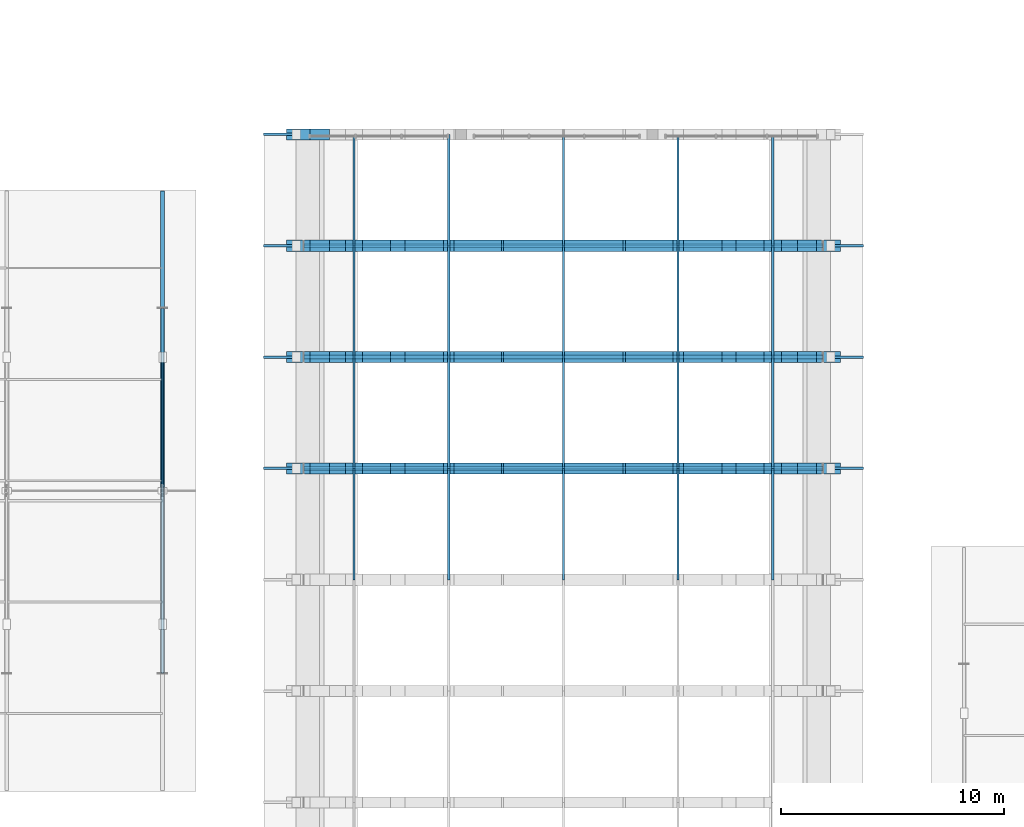
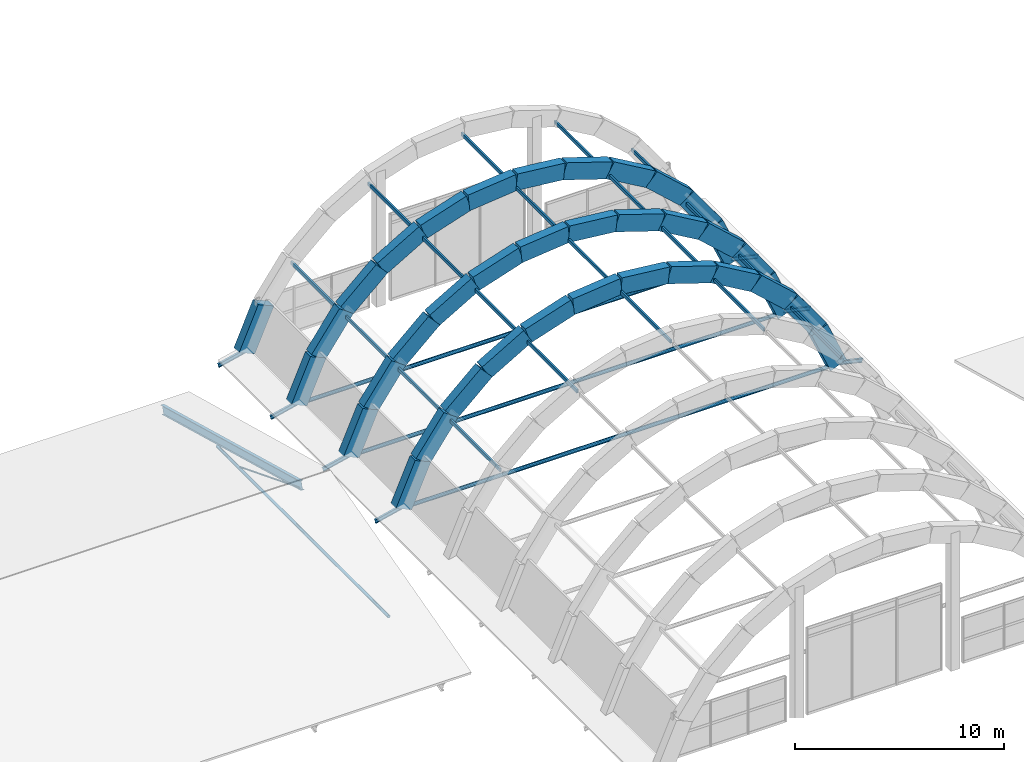
# One storey, part 20 of 76: 45 beams, 25 members.
"""IFC4 building model written with IfcOpenShell, lengths in metres."""

from ifc_helpers import new_model, si_unit, direction, frame, origin, origin_2d, place, context, subcontext, project, spatial, rectangle, hollow_rectangle, hollow_circle, i_section, extrude, material, material_profile, profile_set, type_object, element, save


model = new_model("IFC4")

# Units and contexts
model_context = context("Model", 3, precision=1e-05, world=origin(), true_north=direction((0.0, 1.0)))
body_context = subcontext(model_context, "Body", "Model", "MODEL_VIEW")
ifc_project = project(units=[si_unit("LENGTHUNIT", "METRE"), si_unit("AREAUNIT", "SQUARE_METRE"), si_unit("VOLUMEUNIT", "CUBIC_METRE"), si_unit("PLANEANGLEUNIT", "RADIAN"), si_unit("MASSUNIT", "GRAM", prefix="KILO")], contexts=[model_context])

# Site, building, storey
site_placement = place(None, origin())
site = spatial("IfcSite", under=ifc_project, at=site_placement, CompositionType="ELEMENT")
building_placement = place(site_placement, origin())
building = spatial("IfcBuilding", under=site, at=building_placement, Name="Kiranvali Square Residences", CompositionType="ELEMENT")
storey_placement = place(building_placement, frame((0.0, 0.0, 8.699951171875)))
storey = spatial("IfcBuildingStorey", under=building, at=storey_placement, Name="L02", CompositionType="ELEMENT", Elevation=8.699951171875)

# Members
ifc_material_1 = material(Name="Structural steel E350", Category="steel")
ifc_material_profile_1 = material_profile(ifc_material_1, hollow_circle(Radius=0.08251953125, WallThickness=0.00537109375, at=origin_2d()), Name="CHS 165.1x5.4")
ifc_profile_set_1 = profile_set([ifc_material_profile_1], Name="Structural steel E350")
member_type_1 = type_object("IfcMemberType", Name="MEM-CHS165", PredefinedType="USERDEFINED", material=ifc_profile_set_1)
member_1_placement = place(storey_placement, frame((66.0, 59.800048828125, 1.10009765625), z_axis=(0.0, 1.0, 0.0), x_axis=(-1.0, 0.0, 0.0)))
element("IfcMember", 1, at=member_1_placement, inside=storey, type_object=member_type_1, Name="Nursery Pavilion roof truss collar chord 5", ObjectType="TIE ROD", PredefinedType="USERDEFINED", context=body_context, shape_type="SweptSolid", body=[
    extrude(hollow_circle(Radius=0.08251953125, WallThickness=0.00537109375, at=origin_2d()), origin(), (0.0, 0.0, 1.0), 16.39990234375),
])
ifc_material_profile_2 = material_profile(ifc_material_1, hollow_circle(Radius=0.109619140625, WallThickness=0.012451171875, at=origin_2d()), Name="CHS 219.1x12.5")
ifc_profile_set_2 = profile_set([ifc_material_profile_2], Name="Structural steel E350")
member_type_2 = type_object("IfcMemberType", Name="MEM-CHS219-TIE", PredefinedType="USERDEFINED", material=ifc_profile_set_2)
for number, where, z_axis, x_axis, name in (
    (2, (72.35009765625, 69.0, -0.25), (1.0, 0.0, 0.0), (0.0, 1.0, 0.0), "Exposed Vault Arch Tie Rod TR-6"),
    (3, (72.35009765625, 74.0, -0.25), (1.0, 0.0, 0.0), (0.0, 1.0, 0.0), "Exposed Vault Arch Tie Rod TR-7"),
    (4, (72.35009765625, 79.0, -0.25), (1.0, 0.0, 0.0), (0.0, 1.0, 0.0), "Exposed Vault Arch Tie Rod TR-8"),
):
    element("IfcMember", number, at=place(storey_placement, frame(where, z_axis=z_axis, x_axis=x_axis)), inside=storey, type_object=member_type_2, Name=name, ObjectType="TIE ROD", PredefinedType="USERDEFINED", context=body_context, shape_type="SweptSolid", body=[
        extrude(hollow_circle(Radius=0.109619140625, WallThickness=0.012451171875, at=origin_2d()), origin(), (0.0, 0.0, 1.0), 23.2998046875),
    ])
ifc_material_profile_3 = material_profile(ifc_material_1, hollow_circle(Radius=0.04443359375, WallThickness=0.0048828125, at=origin_2d()), Name="CHS 88.9x4.8")
ifc_profile_set_3 = profile_set([ifc_material_profile_3], Name="Structural steel E350")
member_type_3 = type_object("IfcMemberType", Name="MEM-CHS88", PredefinedType="BRACE", material=ifc_profile_set_3)
member_2_placement = place(storey_placement, frame((66.0, 74.0, 1.216552734375), z_axis=(0.0, -0.930434154786, 0.366459115874), x_axis=(1.0, 0.0, 0.0)))
element("IfcMember", 5, at=member_2_placement, inside=storey, type_object=member_type_3, Name="Nursery Pavilion roof truss diagonal brace 5B", PredefinedType="BRACE", context=body_context, shape_type="SweptSolid", body=[
    extrude(hollow_circle(Radius=0.04443359375, WallThickness=0.0048828125, at=origin_2d()), origin(), (0.0, 0.0, 1.0), 6.169189453125),
])
ifc_material_profile_4 = material_profile(ifc_material_1, hollow_rectangle(XDim=0.10009765625, YDim=0.199951171875, WallThickness=0.006103515625, at=origin_2d()), Name="RHS 200x100x6.0")
ifc_profile_set_4 = profile_set([ifc_material_profile_4], Name="Structural steel E350")
member_type_4 = type_object("IfcMemberType", Name="MEM-RHS200", PredefinedType="PURLIN", material=ifc_profile_set_4)
for number, where, z_axis, x_axis, name in (
    (6, (74.600341796875, 64.0, 4.081787109375), (0.0, 1.0, 0.0), (-1.0, 0.0, 0.0), "Community Hall barrel-vault longitudinal purlin N2.5"),
    (7, (74.600341796875, 69.0, 4.081787109375), (0.0, 1.0, 0.0), (-1.0, 0.0, 0.0), "Community Hall barrel-vault longitudinal purlin N2.6"),
    (8, (74.600341796875, 74.0, 4.081787109375), (0.0, 1.0, 0.0), (-1.0, 0.0, 0.0), "Community Hall barrel-vault longitudinal purlin N2.7"),
    (9, (74.600341796875, 79.0, 4.081787109375), (0.0, 1.0, 0.0), (-1.0, 0.0, 0.0), "Community Hall barrel-vault longitudinal purlin N2.8"),
    (10, (78.8486328125, 64.0, 7.197021484375), (0.0, 1.0, 0.0), (-1.0, 0.0, 0.0), "Community Hall barrel-vault longitudinal purlin N4.5"),
    (11, (78.8486328125, 69.0, 7.197021484375), (0.0, 1.0, 0.0), (-1.0, 0.0, 0.0), "Community Hall barrel-vault longitudinal purlin N4.6"),
    (12, (78.8486328125, 74.0, 7.197021484375), (0.0, 1.0, 0.0), (-1.0, 0.0, 0.0), "Community Hall barrel-vault longitudinal purlin N4.7"),
    (13, (78.8486328125, 79.0, 7.197021484375), (0.0, 1.0, 0.0), (-1.0, 0.0, 0.0), "Community Hall barrel-vault longitudinal purlin N4.8"),
    (14, (84.0, 64.0, 8.300048828125), (0.0, 1.0, 0.0), (-1.0, 0.0, 0.0), "Community Hall barrel-vault longitudinal purlin N6.5"),
    (15, (84.0, 69.0, 8.300048828125), (0.0, 1.0, 0.0), (-1.0, 0.0, 0.0), "Community Hall barrel-vault longitudinal purlin N6.6"),
    (16, (84.0, 74.0, 8.300048828125), (0.0, 1.0, 0.0), (-1.0, 0.0, 0.0), "Community Hall barrel-vault longitudinal purlin N6.7"),
    (17, (84.0, 79.0, 8.300048828125), (0.0, 1.0, 0.0), (-1.0, 0.0, 0.0), "Community Hall barrel-vault longitudinal purlin N6.8"),
    (18, (89.1513671875, 64.0, 7.197021484375), (0.0, 1.0, 0.0), (-1.0, 0.0, 0.0), "Community Hall barrel-vault longitudinal purlin N8.5"),
    (19, (89.1513671875, 69.0, 7.197021484375), (0.0, 1.0, 0.0), (-1.0, 0.0, 0.0), "Community Hall barrel-vault longitudinal purlin N8.6"),
    (20, (89.1513671875, 74.0, 7.197021484375), (0.0, 1.0, 0.0), (-1.0, 0.0, 0.0), "Community Hall barrel-vault longitudinal purlin N8.7"),
    (21, (89.1513671875, 79.0, 7.197021484375), (0.0, 1.0, 0.0), (-1.0, 0.0, 0.0), "Community Hall barrel-vault longitudinal purlin N8.8"),
    (22, (93.399658203125, 64.0, 4.081787109375), (0.0, 1.0, 0.0), (-1.0, 0.0, 0.0), "Community Hall barrel-vault longitudinal purlin N10.5"),
    (23, (93.399658203125, 69.0, 4.081787109375), (0.0, 1.0, 0.0), (-1.0, 0.0, 0.0), "Community Hall barrel-vault longitudinal purlin N10.6"),
    (24, (93.399658203125, 74.0, 4.081787109375), (0.0, 1.0, 0.0), (-1.0, 0.0, 0.0), "Community Hall barrel-vault longitudinal purlin N10.7"),
    (25, (93.399658203125, 79.0, 4.081787109375), (0.0, 1.0, 0.0), (-1.0, 0.0, 0.0), "Community Hall barrel-vault longitudinal purlin N10.8"),
):
    element("IfcMember", number, at=place(storey_placement, frame(where, z_axis=z_axis, x_axis=x_axis)), inside=storey, type_object=member_type_4, Name=name, PredefinedType="PURLIN", context=body_context, shape_type="SweptSolid", body=[
        extrude(hollow_rectangle(XDim=0.10009765625, YDim=0.199951171875, WallThickness=0.006103515625, at=origin_2d()), origin(), (0.0, 0.0, 1.0), 5.0),
    ])

# Beams
ifc_material_profile_5 = material_profile(ifc_material_1, i_section(OverallWidth=0.110107421875, OverallDepth=0.22509765625, WebThickness=0.006591796875, FlangeThickness=0.01171875, at=origin_2d()), Name="ISMB 225")
ifc_profile_set_5 = profile_set([ifc_material_profile_5], Name="Structural steel E350")
beam_type_1 = type_object("IfcBeamType", Name="SBM-ISMB225", PredefinedType="JOIST", material=ifc_profile_set_5)
for number, where, z_axis, x_axis, name in (
    (26, (72.0, 69.0, -0.179931640625), (-0.973578169392, 0.0, -0.2283539973), (0.0, -1.0, 0.0), "Community Hall Ottoman eave bracket W6"),
    (27, (72.0, 74.0, -0.179931640625), (-0.973578169392, 0.0, -0.2283539973), (0.0, -1.0, 0.0), "Community Hall Ottoman eave bracket W7"),
    (28, (72.0, 79.0, -0.179931640625), (-0.973578169392, 0.0, -0.2283539973), (0.0, -1.0, 0.0), "Community Hall Ottoman eave bracket W8"),
    (29, (72.0, 84.0, -0.179931640625), (-0.973578169392, 0.0, -0.2283539973), (0.0, -1.0, 0.0), "Community Hall Ottoman eave bracket W9"),
    (30, (96.0, 69.0, -0.179931640625), (0.973578169392, 0.0, -0.2283539973), (0.0, 1.0, 0.0), "Community Hall Ottoman eave bracket E6"),
    (31, (96.0, 74.0, -0.179931640625), (0.973578169392, 0.0, -0.2283539973), (0.0, 1.0, 0.0), "Community Hall Ottoman eave bracket E7"),
    (32, (96.0, 79.0, -0.179931640625), (0.973578169392, 0.0, -0.2283539973), (0.0, 1.0, 0.0), "Community Hall Ottoman eave bracket E8"),
):
    element("IfcBeam", number, at=place(storey_placement, frame(where, z_axis=z_axis, x_axis=x_axis)), inside=storey, type_object=beam_type_1, Name=name, PredefinedType="JOIST", context=body_context, shape_type="SweptSolid", body=[
        extrude(i_section(OverallWidth=0.110107421875, OverallDepth=0.22509765625, WebThickness=0.006591796875, FlangeThickness=0.01171875, at=origin_2d()), origin(), (0.0, 0.0, 1.0), 1.4892578125),
    ])
ifc_material_profile_6 = material_profile(ifc_material_1, i_section(OverallWidth=0.179931640625, OverallDepth=0.5, WebThickness=0.01025390625, FlangeThickness=0.01708984375, at=origin_2d()), Name="ISMB 500")
ifc_profile_set_6 = profile_set([ifc_material_profile_6], Name="Structural steel E350")
beam_type_2 = type_object("IfcBeamType", Name="SBM-ISMB500", PredefinedType="BEAM", material=ifc_profile_set_6)
beam_1_placement = place(storey_placement, frame((66.0, 81.39990234375, 0.10009765625), z_axis=(0.0, -0.964948346457, 0.262439876296), x_axis=(1.0, 0.0, 0.0)))
element("IfcBeam", 33, at=beam_1_placement, inside=storey, type_object=beam_type_2, Name="Nursery Pavilion steel roof rafter N-5", PredefinedType="BEAM", context=body_context, shape_type="SweptSolid", body=[
    extrude(i_section(OverallWidth=0.179931640625, OverallDepth=0.5, WebThickness=0.01025390625, FlangeThickness=0.01708984375, at=origin_2d()), origin(), (0.0, 0.0, 1.0), 13.782958984375),
])
ifc_material_2 = material(Name="Concrete M45 (45 MPa)", Category="concrete")
ifc_material_profile_7 = material_profile(ifc_material_2, rectangle(XDim=0.5, YDim=0.949951171875, at=origin_2d()), Name="RC 500x950")
ifc_profile_set_7 = profile_set([ifc_material_profile_7], Name="Concrete M45 (45 MPa)")
beam_type_3 = type_object("IfcBeamType", Name="VR-M45-500x950", PredefinedType="USERDEFINED", material=ifc_profile_set_7)
for number, where, z_axis, x_axis, name in (
    (34, (72.0, 69.0, -0.159912109375), (0.399285511826, 0.0, 0.916826635764), (0.0, 1.0, 0.0), "Exposed Vault Arch Rib VR-1 bay 6 seg 1"),
    (35, (73.0576171875, 69.0, 2.2685546875), (0.582440788805, 0.0, 0.812873131267), (0.0, 1.0, 0.0), "Exposed Vault Arch Rib VR-1 bay 6 seg 2"),
):
    element("IfcBeam", number, at=place(storey_placement, frame(where, z_axis=z_axis, x_axis=x_axis)), inside=storey, type_object=beam_type_3, Name=name, ObjectType="ARCH RIB", PredefinedType="USERDEFINED", context=body_context, shape_type="SweptSolid", body=[
        extrude(rectangle(XDim=0.5, YDim=0.949951171875, at=origin_2d()), origin(), (0.0, 0.0, 1.0), 2.648681640625),
    ])
beam_2_placement = place(storey_placement, frame((74.600341796875, 69.0, 4.421630859375), z_axis=(0.739639727278, 0.0, 0.673003026615), x_axis=(0.0, 1.0, 0.0)))
element("IfcBeam", 36, at=beam_2_placement, inside=storey, type_object=beam_type_3, Name="Exposed Vault Arch Rib VR-1 bay 6 seg 3", ObjectType="ARCH RIB", PredefinedType="USERDEFINED", context=body_context, shape_type="SweptSolid", body=[
    extrude(rectangle(XDim=0.5, YDim=0.949951171875, at=origin_2d()), origin(), (0.0, 0.0, 1.0), 2.64892578125),
])
beam_3_placement = place(storey_placement, frame((76.5595703125, 69.0, 6.204345703125), z_axis=(0.864193138267, 0.0, 0.503160232701), x_axis=(0.0, 1.0, 0.0)))
element("IfcBeam", 37, at=beam_3_placement, inside=storey, type_object=beam_type_3, Name="Exposed Vault Arch Rib VR-1 bay 6 seg 4", ObjectType="ARCH RIB", PredefinedType="USERDEFINED", context=body_context, shape_type="SweptSolid", body=[
    extrude(rectangle(XDim=0.5, YDim=0.949951171875, at=origin_2d()), origin(), (0.0, 0.0, 1.0), 2.648681640625),
])
beam_4_placement = place(storey_placement, frame((78.8486328125, 69.0, 7.537109375), z_axis=(0.950356499345, 0.0, 0.311163179302), x_axis=(0.0, 1.0, 0.0)))
element("IfcBeam", 38, at=beam_4_placement, inside=storey, type_object=beam_type_3, Name="Exposed Vault Arch Rib VR-1 bay 6 seg 5", ObjectType="ARCH RIB", PredefinedType="USERDEFINED", context=body_context, shape_type="SweptSolid", body=[
    extrude(rectangle(XDim=0.5, YDim=0.949951171875, at=origin_2d()), origin(), (0.0, 0.0, 1.0), 2.64892578125),
])
for number, where, z_axis, x_axis, name in (
    (39, (81.365966796875, 69.0, 8.361328125), (0.99444467995, 0.0, 0.10526052688), (0.0, 1.0, 0.0), "Exposed Vault Arch Rib VR-1 bay 6 seg 6"),
    (40, (84.0, 69.0, 8.64013671875), (0.99444467995, 0.0, -0.10526052688), (0.0, 1.0, 0.0), "Exposed Vault Arch Rib VR-1 bay 6 seg 7"),
):
    element("IfcBeam", number, at=place(storey_placement, frame(where, z_axis=z_axis, x_axis=x_axis)), inside=storey, type_object=beam_type_3, Name=name, ObjectType="ARCH RIB", PredefinedType="USERDEFINED", context=body_context, shape_type="SweptSolid", body=[
        extrude(rectangle(XDim=0.5, YDim=0.949951171875, at=origin_2d()), origin(), (0.0, 0.0, 1.0), 2.648681640625),
    ])
beam_5_placement = place(storey_placement, frame((86.634033203125, 69.0, 8.361328125), z_axis=(0.950356499345, 0.0, -0.311163179302), x_axis=(0.0, 1.0, 0.0)))
element("IfcBeam", 41, at=beam_5_placement, inside=storey, type_object=beam_type_3, Name="Exposed Vault Arch Rib VR-1 bay 6 seg 8", ObjectType="ARCH RIB", PredefinedType="USERDEFINED", context=body_context, shape_type="SweptSolid", body=[
    extrude(rectangle(XDim=0.5, YDim=0.949951171875, at=origin_2d()), origin(), (0.0, 0.0, 1.0), 2.64892578125),
])
beam_6_placement = place(storey_placement, frame((89.1513671875, 69.0, 7.537109375), z_axis=(0.864193138267, 0.0, -0.503160232701), x_axis=(0.0, 1.0, 0.0)))
element("IfcBeam", 42, at=beam_6_placement, inside=storey, type_object=beam_type_3, Name="Exposed Vault Arch Rib VR-1 bay 6 seg 9", ObjectType="ARCH RIB", PredefinedType="USERDEFINED", context=body_context, shape_type="SweptSolid", body=[
    extrude(rectangle(XDim=0.5, YDim=0.949951171875, at=origin_2d()), origin(), (0.0, 0.0, 1.0), 2.648681640625),
])
beam_7_placement = place(storey_placement, frame((91.4404296875, 69.0, 6.204345703125), z_axis=(0.739639727278, 0.0, -0.673003026615), x_axis=(0.0, 1.0, 0.0)))
element("IfcBeam", 43, at=beam_7_placement, inside=storey, type_object=beam_type_3, Name="Exposed Vault Arch Rib VR-1 bay 6 seg 10", ObjectType="ARCH RIB", PredefinedType="USERDEFINED", context=body_context, shape_type="SweptSolid", body=[
    extrude(rectangle(XDim=0.5, YDim=0.949951171875, at=origin_2d()), origin(), (0.0, 0.0, 1.0), 2.64892578125),
])
for number, where, z_axis, x_axis, name in (
    (44, (93.399658203125, 69.0, 4.421630859375), (0.582440788805, 0.0, -0.812873131267), (0.0, 1.0, 0.0), "Exposed Vault Arch Rib VR-1 bay 6 seg 11"),
    (45, (94.9423828125, 69.0, 2.2685546875), (0.399285511826, 0.0, -0.916826635764), (0.0, 1.0, 0.0), "Exposed Vault Arch Rib VR-1 bay 6 seg 12"),
    (46, (72.0, 74.0, -0.159912109375), (0.399285511826, 0.0, 0.916826635764), (0.0, 1.0, 0.0), "Exposed Vault Arch Rib VR-1 bay 7 seg 1"),
    (47, (73.0576171875, 74.0, 2.2685546875), (0.582440788805, 0.0, 0.812873131267), (0.0, 1.0, 0.0), "Exposed Vault Arch Rib VR-1 bay 7 seg 2"),
):
    element("IfcBeam", number, at=place(storey_placement, frame(where, z_axis=z_axis, x_axis=x_axis)), inside=storey, type_object=beam_type_3, Name=name, ObjectType="ARCH RIB", PredefinedType="USERDEFINED", context=body_context, shape_type="SweptSolid", body=[
        extrude(rectangle(XDim=0.5, YDim=0.949951171875, at=origin_2d()), origin(), (0.0, 0.0, 1.0), 2.648681640625),
    ])
beam_8_placement = place(storey_placement, frame((74.600341796875, 74.0, 4.421630859375), z_axis=(0.739639727278, 0.0, 0.673003026615), x_axis=(0.0, 1.0, 0.0)))
element("IfcBeam", 48, at=beam_8_placement, inside=storey, type_object=beam_type_3, Name="Exposed Vault Arch Rib VR-1 bay 7 seg 3", ObjectType="ARCH RIB", PredefinedType="USERDEFINED", context=body_context, shape_type="SweptSolid", body=[
    extrude(rectangle(XDim=0.5, YDim=0.949951171875, at=origin_2d()), origin(), (0.0, 0.0, 1.0), 2.64892578125),
])
beam_9_placement = place(storey_placement, frame((76.5595703125, 74.0, 6.204345703125), z_axis=(0.864193138267, 0.0, 0.503160232701), x_axis=(0.0, 1.0, 0.0)))
element("IfcBeam", 49, at=beam_9_placement, inside=storey, type_object=beam_type_3, Name="Exposed Vault Arch Rib VR-1 bay 7 seg 4", ObjectType="ARCH RIB", PredefinedType="USERDEFINED", context=body_context, shape_type="SweptSolid", body=[
    extrude(rectangle(XDim=0.5, YDim=0.949951171875, at=origin_2d()), origin(), (0.0, 0.0, 1.0), 2.648681640625),
])
beam_10_placement = place(storey_placement, frame((78.8486328125, 74.0, 7.537109375), z_axis=(0.950356499345, 0.0, 0.311163179302), x_axis=(0.0, 1.0, 0.0)))
element("IfcBeam", 50, at=beam_10_placement, inside=storey, type_object=beam_type_3, Name="Exposed Vault Arch Rib VR-1 bay 7 seg 5", ObjectType="ARCH RIB", PredefinedType="USERDEFINED", context=body_context, shape_type="SweptSolid", body=[
    extrude(rectangle(XDim=0.5, YDim=0.949951171875, at=origin_2d()), origin(), (0.0, 0.0, 1.0), 2.64892578125),
])
for number, where, z_axis, x_axis, name in (
    (51, (81.365966796875, 74.0, 8.361328125), (0.99444467995, 0.0, 0.10526052688), (0.0, 1.0, 0.0), "Exposed Vault Arch Rib VR-1 bay 7 seg 6"),
    (52, (84.0, 74.0, 8.64013671875), (0.99444467995, 0.0, -0.10526052688), (0.0, 1.0, 0.0), "Exposed Vault Arch Rib VR-1 bay 7 seg 7"),
):
    element("IfcBeam", number, at=place(storey_placement, frame(where, z_axis=z_axis, x_axis=x_axis)), inside=storey, type_object=beam_type_3, Name=name, ObjectType="ARCH RIB", PredefinedType="USERDEFINED", context=body_context, shape_type="SweptSolid", body=[
        extrude(rectangle(XDim=0.5, YDim=0.949951171875, at=origin_2d()), origin(), (0.0, 0.0, 1.0), 2.648681640625),
    ])
beam_11_placement = place(storey_placement, frame((86.634033203125, 74.0, 8.361328125), z_axis=(0.950356499345, 0.0, -0.311163179302), x_axis=(0.0, 1.0, 0.0)))
element("IfcBeam", 53, at=beam_11_placement, inside=storey, type_object=beam_type_3, Name="Exposed Vault Arch Rib VR-1 bay 7 seg 8", ObjectType="ARCH RIB", PredefinedType="USERDEFINED", context=body_context, shape_type="SweptSolid", body=[
    extrude(rectangle(XDim=0.5, YDim=0.949951171875, at=origin_2d()), origin(), (0.0, 0.0, 1.0), 2.64892578125),
])
beam_12_placement = place(storey_placement, frame((89.1513671875, 74.0, 7.537109375), z_axis=(0.864193138267, 0.0, -0.503160232701), x_axis=(0.0, 1.0, 0.0)))
element("IfcBeam", 54, at=beam_12_placement, inside=storey, type_object=beam_type_3, Name="Exposed Vault Arch Rib VR-1 bay 7 seg 9", ObjectType="ARCH RIB", PredefinedType="USERDEFINED", context=body_context, shape_type="SweptSolid", body=[
    extrude(rectangle(XDim=0.5, YDim=0.949951171875, at=origin_2d()), origin(), (0.0, 0.0, 1.0), 2.648681640625),
])
beam_13_placement = place(storey_placement, frame((91.4404296875, 74.0, 6.204345703125), z_axis=(0.739639727278, 0.0, -0.673003026615), x_axis=(0.0, 1.0, 0.0)))
element("IfcBeam", 55, at=beam_13_placement, inside=storey, type_object=beam_type_3, Name="Exposed Vault Arch Rib VR-1 bay 7 seg 10", ObjectType="ARCH RIB", PredefinedType="USERDEFINED", context=body_context, shape_type="SweptSolid", body=[
    extrude(rectangle(XDim=0.5, YDim=0.949951171875, at=origin_2d()), origin(), (0.0, 0.0, 1.0), 2.64892578125),
])
for number, where, z_axis, x_axis, name in (
    (56, (93.399658203125, 74.0, 4.421630859375), (0.582440788805, 0.0, -0.812873131267), (0.0, 1.0, 0.0), "Exposed Vault Arch Rib VR-1 bay 7 seg 11"),
    (57, (94.9423828125, 74.0, 2.2685546875), (0.399285511826, 0.0, -0.916826635764), (0.0, 1.0, 0.0), "Exposed Vault Arch Rib VR-1 bay 7 seg 12"),
    (58, (72.0, 79.0, -0.159912109375), (0.399285511826, 0.0, 0.916826635764), (0.0, 1.0, 0.0), "Exposed Vault Arch Rib VR-1 bay 8 seg 1"),
    (59, (73.0576171875, 79.0, 2.2685546875), (0.582440788805, 0.0, 0.812873131267), (0.0, 1.0, 0.0), "Exposed Vault Arch Rib VR-1 bay 8 seg 2"),
):
    element("IfcBeam", number, at=place(storey_placement, frame(where, z_axis=z_axis, x_axis=x_axis)), inside=storey, type_object=beam_type_3, Name=name, ObjectType="ARCH RIB", PredefinedType="USERDEFINED", context=body_context, shape_type="SweptSolid", body=[
        extrude(rectangle(XDim=0.5, YDim=0.949951171875, at=origin_2d()), origin(), (0.0, 0.0, 1.0), 2.648681640625),
    ])
beam_14_placement = place(storey_placement, frame((74.600341796875, 79.0, 4.421630859375), z_axis=(0.739639727278, 0.0, 0.673003026615), x_axis=(0.0, 1.0, 0.0)))
element("IfcBeam", 60, at=beam_14_placement, inside=storey, type_object=beam_type_3, Name="Exposed Vault Arch Rib VR-1 bay 8 seg 3", ObjectType="ARCH RIB", PredefinedType="USERDEFINED", context=body_context, shape_type="SweptSolid", body=[
    extrude(rectangle(XDim=0.5, YDim=0.949951171875, at=origin_2d()), origin(), (0.0, 0.0, 1.0), 2.64892578125),
])
beam_15_placement = place(storey_placement, frame((76.5595703125, 79.0, 6.204345703125), z_axis=(0.864193138267, 0.0, 0.503160232701), x_axis=(0.0, 1.0, 0.0)))
element("IfcBeam", 61, at=beam_15_placement, inside=storey, type_object=beam_type_3, Name="Exposed Vault Arch Rib VR-1 bay 8 seg 4", ObjectType="ARCH RIB", PredefinedType="USERDEFINED", context=body_context, shape_type="SweptSolid", body=[
    extrude(rectangle(XDim=0.5, YDim=0.949951171875, at=origin_2d()), origin(), (0.0, 0.0, 1.0), 2.648681640625),
])
beam_16_placement = place(storey_placement, frame((78.8486328125, 79.0, 7.537109375), z_axis=(0.950356499345, 0.0, 0.311163179302), x_axis=(0.0, 1.0, 0.0)))
element("IfcBeam", 62, at=beam_16_placement, inside=storey, type_object=beam_type_3, Name="Exposed Vault Arch Rib VR-1 bay 8 seg 5", ObjectType="ARCH RIB", PredefinedType="USERDEFINED", context=body_context, shape_type="SweptSolid", body=[
    extrude(rectangle(XDim=0.5, YDim=0.949951171875, at=origin_2d()), origin(), (0.0, 0.0, 1.0), 2.64892578125),
])
for number, where, z_axis, x_axis, name in (
    (63, (81.365966796875, 79.0, 8.361328125), (0.99444467995, 0.0, 0.10526052688), (0.0, 1.0, 0.0), "Exposed Vault Arch Rib VR-1 bay 8 seg 6"),
    (64, (84.0, 79.0, 8.64013671875), (0.99444467995, 0.0, -0.10526052688), (0.0, 1.0, 0.0), "Exposed Vault Arch Rib VR-1 bay 8 seg 7"),
):
    element("IfcBeam", number, at=place(storey_placement, frame(where, z_axis=z_axis, x_axis=x_axis)), inside=storey, type_object=beam_type_3, Name=name, ObjectType="ARCH RIB", PredefinedType="USERDEFINED", context=body_context, shape_type="SweptSolid", body=[
        extrude(rectangle(XDim=0.5, YDim=0.949951171875, at=origin_2d()), origin(), (0.0, 0.0, 1.0), 2.648681640625),
    ])
beam_17_placement = place(storey_placement, frame((86.634033203125, 79.0, 8.361328125), z_axis=(0.950356499345, 0.0, -0.311163179302), x_axis=(0.0, 1.0, 0.0)))
element("IfcBeam", 65, at=beam_17_placement, inside=storey, type_object=beam_type_3, Name="Exposed Vault Arch Rib VR-1 bay 8 seg 8", ObjectType="ARCH RIB", PredefinedType="USERDEFINED", context=body_context, shape_type="SweptSolid", body=[
    extrude(rectangle(XDim=0.5, YDim=0.949951171875, at=origin_2d()), origin(), (0.0, 0.0, 1.0), 2.64892578125),
])
beam_18_placement = place(storey_placement, frame((89.1513671875, 79.0, 7.537109375), z_axis=(0.864193138267, 0.0, -0.503160232701), x_axis=(0.0, 1.0, 0.0)))
element("IfcBeam", 66, at=beam_18_placement, inside=storey, type_object=beam_type_3, Name="Exposed Vault Arch Rib VR-1 bay 8 seg 9", ObjectType="ARCH RIB", PredefinedType="USERDEFINED", context=body_context, shape_type="SweptSolid", body=[
    extrude(rectangle(XDim=0.5, YDim=0.949951171875, at=origin_2d()), origin(), (0.0, 0.0, 1.0), 2.648681640625),
])
beam_19_placement = place(storey_placement, frame((91.4404296875, 79.0, 6.204345703125), z_axis=(0.739639727278, 0.0, -0.673003026615), x_axis=(0.0, 1.0, 0.0)))
element("IfcBeam", 67, at=beam_19_placement, inside=storey, type_object=beam_type_3, Name="Exposed Vault Arch Rib VR-1 bay 8 seg 10", ObjectType="ARCH RIB", PredefinedType="USERDEFINED", context=body_context, shape_type="SweptSolid", body=[
    extrude(rectangle(XDim=0.5, YDim=0.949951171875, at=origin_2d()), origin(), (0.0, 0.0, 1.0), 2.64892578125),
])
for number, where, z_axis, x_axis, name in (
    (68, (93.399658203125, 79.0, 4.421630859375), (0.582440788805, 0.0, -0.812873131267), (0.0, 1.0, 0.0), "Exposed Vault Arch Rib VR-1 bay 8 seg 11"),
    (69, (94.9423828125, 79.0, 2.2685546875), (0.399285511826, 0.0, -0.916826635764), (0.0, 1.0, 0.0), "Exposed Vault Arch Rib VR-1 bay 8 seg 12"),
    (70, (72.0, 84.0, -0.159912109375), (0.399285511826, 0.0, 0.916826635764), (0.0, 1.0, 0.0), "Exposed Vault Arch Rib VR-1 bay 9 seg 1"),
):
    element("IfcBeam", number, at=place(storey_placement, frame(where, z_axis=z_axis, x_axis=x_axis)), inside=storey, type_object=beam_type_3, Name=name, ObjectType="ARCH RIB", PredefinedType="USERDEFINED", context=body_context, shape_type="SweptSolid", body=[
        extrude(rectangle(XDim=0.5, YDim=0.949951171875, at=origin_2d()), origin(), (0.0, 0.0, 1.0), 2.648681640625),
    ])

save(model, "model.ifc")
